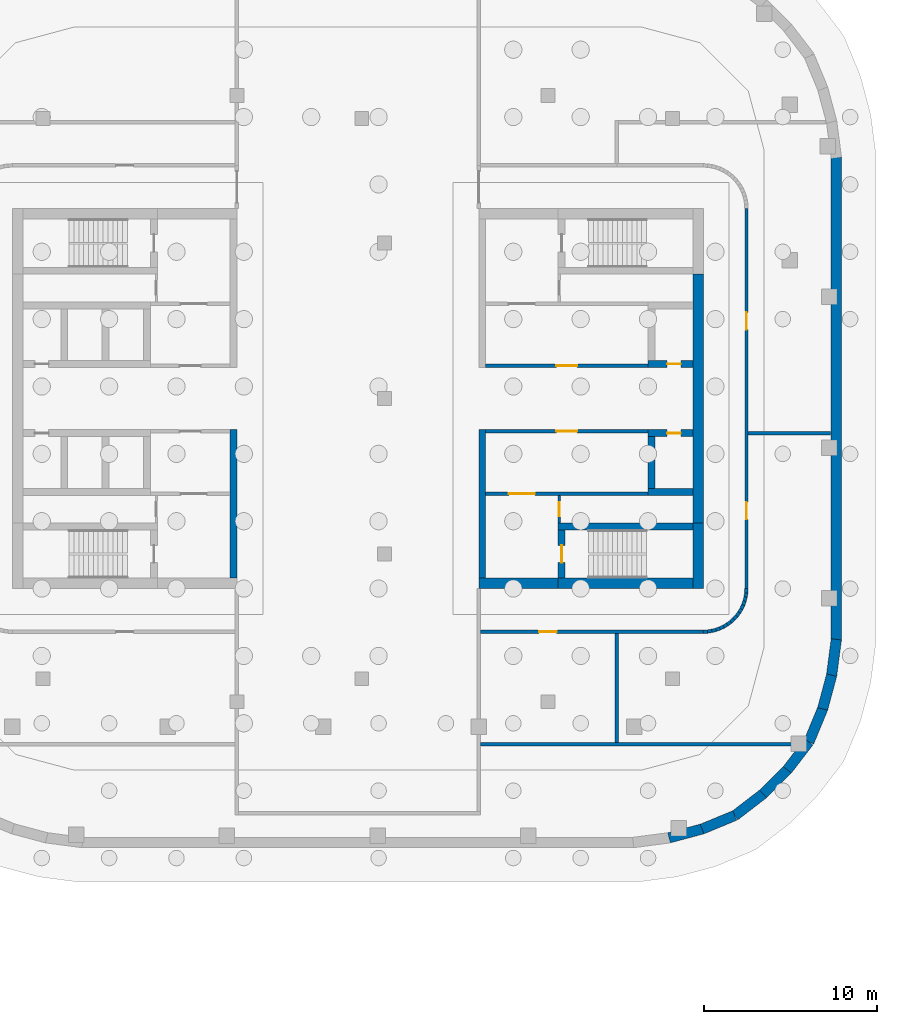
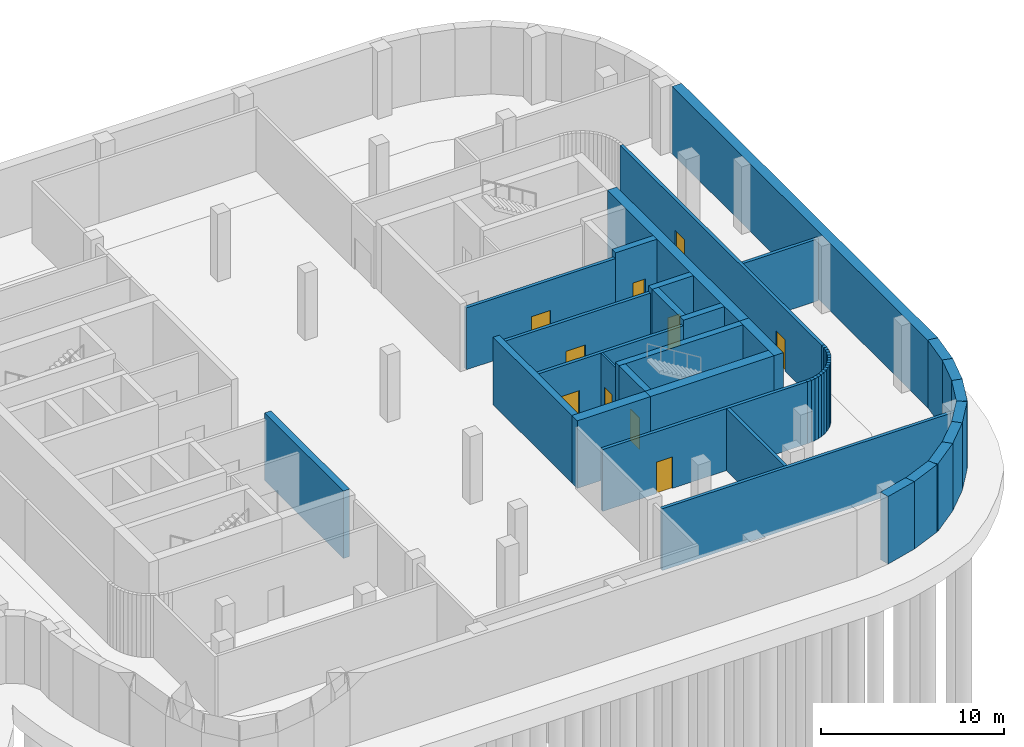
# One storey, part 13 of 18: 46 walls, 10 doors, 10 openings.
"""IFC4 building model written with IfcOpenShell, lengths in metres."""

from ifc_helpers import new_model, si_unit, direction, frame, frame_2d, origin, place, context, subcontext, project, spatial, rectangle, extrude, material, layer, layer_set, type_object, element, fill, save


model = new_model("IFC4")

# Units and contexts
model_context = context("Model", 3, precision=1e-05, world=origin(), true_north=direction((0.0, 1.0)))
body_context = subcontext(model_context, "Body", "Model", "MODEL_VIEW")
ifc_project = project(units=[si_unit("LENGTHUNIT", "METRE"), si_unit("AREAUNIT", "SQUARE_METRE"), si_unit("VOLUMEUNIT", "CUBIC_METRE"), si_unit("PLANEANGLEUNIT", "RADIAN"), si_unit("MASSUNIT", "GRAM", prefix="KILO")], contexts=[model_context])

# Site, building, storey
site_placement = place(None, origin())
site = spatial("IfcSite", under=ifc_project, at=site_placement, CompositionType="ELEMENT")
building_placement = place(site_placement, origin())
building = spatial("IfcBuilding", under=site, at=building_placement, Name="Skarvind Civic Tower", CompositionType="ELEMENT")
storey_placement = place(building_placement, frame((0.0, 0.0, -9.0)))
storey = spatial("IfcBuildingStorey", under=building, at=storey_placement, Name="B2", CompositionType="ELEMENT", Elevation=-9.0)

# Walls
ifc_material_1 = material(Name="Concrete C40", Category="concrete")
ifc_layer_1 = layer(ifc_material_1, 0.60009765625)
ifc_layer_set_1 = layer_set([ifc_layer_1], Name="Basement retaining wall 600 C40")
wall_type_1 = type_object("IfcWallType", Name="Basement retaining wall 600 C40", PredefinedType="SHEAR", material=ifc_layer_set_1)
wall_1_placement = place(storey_placement, frame((174.699951171875, 141.978271484375, 0.0), z_axis=(0.0, 0.0, 1.0), x_axis=(0.0, -1.0, 0.0)))
element("IfcWall", 1, at=wall_1_placement, inside=storey, type_object=wall_type_1, Name="Basement retaining wall B2 53", PredefinedType="SHEAR", context=body_context, shape_type="SweptSolid", body=[
    extrude(rectangle(XDim=27.95654296875, YDim=0.60009765625, at=frame_2d((13.978271484375, 0.0))), origin(), (0.0, 0.0, 1.0), 4.5),
])
wall_2_placement = place(storey_placement, frame((174.70263671875, 114.06103515625, 0.0), z_axis=(0.0, 0.0, 1.0), x_axis=(-0.130558200013, -0.991440646942, 0.0)))
element("IfcWall", 2, at=wall_2_placement, inside=storey, type_object=wall_type_1, Name="Basement retaining wall B2 54", PredefinedType="SHEAR", context=body_context, shape_type="SweptSolid", body=[
    extrude(rectangle(XDim=2.1318359375, YDim=0.60009765625, at=frame_2d((1.06591796875, 0.0))), origin(), (0.0, 0.0, 1.0), 4.5),
])
wall_3_placement = place(storey_placement, frame((174.431884765625, 111.986083984375, 0.0), z_axis=(0.0, 0.0, 1.0), x_axis=(-0.258804467146, -0.965929732323, 0.0)))
element("IfcWall", 3, at=wall_3_placement, inside=storey, type_object=wall_type_1, Name="Basement retaining wall B2 55", PredefinedType="SHEAR", context=body_context, shape_type="SweptSolid", body=[
    extrude(rectangle(XDim=2.0224609375, YDim=0.60009765625, at=frame_2d((1.01123046875, 0.0))), origin(), (0.0, 0.0, 1.0), 4.5),
])
wall_4_placement = place(storey_placement, frame((173.921142578125, 110.0693359375, 0.0), z_axis=(0.0, 0.0, 1.0), x_axis=(-0.382375593358, -0.924006983526, 0.0)))
element("IfcWall", 4, at=wall_4_placement, inside=storey, type_object=wall_type_1, Name="Basement retaining wall B2 56", PredefinedType="SHEAR", context=body_context, shape_type="SweptSolid", body=[
    extrude(rectangle(XDim=2.114013671875, YDim=0.60009765625, at=frame_2d((1.05712890625, 0.0))), origin(), (0.0, 0.0, 1.0), 4.5),
])
wall_5_placement = place(storey_placement, frame((173.109375, 108.12841796875, 0.0), z_axis=(0.0, 0.0, 1.0), x_axis=(-0.609058260448, -0.793125485267, 0.0)))
element("IfcWall", 5, at=wall_5_placement, inside=storey, type_object=wall_type_1, Name="Basement retaining wall B2 57", PredefinedType="SHEAR", context=body_context, shape_type="SweptSolid", body=[
    extrude(rectangle(XDim=2.0439453125, YDim=0.60009765625, at=frame_2d((1.02197265625, 0.0))), origin(), (0.0, 0.0, 1.0), 4.5),
])
wall_6_placement = place(storey_placement, frame((171.890380859375, 106.536865234375, 0.0), z_axis=(0.0, 0.0, 1.0), x_axis=(-0.707106781187, -0.707106781187, 0.0)))
element("IfcWall", 6, at=wall_6_placement, inside=storey, type_object=wall_type_1, Name="Basement retaining wall B2 58", PredefinedType="SHEAR", context=body_context, shape_type="SweptSolid", body=[
    extrude(rectangle(XDim=2.018310546875, YDim=0.60009765625, at=frame_2d((1.00927734375, 0.0))), origin(), (0.0, 0.0, 1.0), 4.5),
])
wall_7_placement = place(storey_placement, frame((170.49267578125, 105.135498046875, 0.0), z_axis=(0.0, 0.0, 1.0), x_axis=(-0.79313029079, -0.609052002567, 0.0)))
element("IfcWall", 7, at=wall_7_placement, inside=storey, type_object=wall_type_1, Name="Basement retaining wall B2 59", PredefinedType="SHEAR", context=body_context, shape_type="SweptSolid", body=[
    extrude(rectangle(XDim=2.114013671875, YDim=0.60009765625, at=frame_2d((1.05712890625, 0.0))), origin(), (0.0, 0.0, 1.0), 4.5),
])
wall_8_placement = place(storey_placement, frame((168.8193359375, 103.8603515625, 0.0), z_axis=(0.0, 0.0, 1.0), x_axis=(-0.924021197839, -0.382341242798, 0.0)))
element("IfcWall", 8, at=wall_8_placement, inside=storey, type_object=wall_type_1, Name="Basement retaining wall B2 60", PredefinedType="SHEAR", context=body_context, shape_type="SweptSolid", body=[
    extrude(rectangle(XDim=2.0439453125, YDim=0.60009765625, at=frame_2d((1.02197265625, 0.0))), origin(), (0.0, 0.0, 1.0), 4.5),
])
wall_9_placement = place(storey_placement, frame((166.967529296875, 103.091552734375, 0.0), z_axis=(0.0, 0.0, 1.0), x_axis=(-0.965929732323, -0.258804467146, 0.0)))
element("IfcWall", 9, at=wall_9_placement, inside=storey, type_object=wall_type_1, Name="Basement retaining wall B2 61", PredefinedType="SHEAR", context=body_context, shape_type="SweptSolid", body=[
    extrude(rectangle(XDim=2.0224609375, YDim=0.60009765625, at=frame_2d((1.01123046875, 0.0))), origin(), (0.0, 0.0, 1.0), 4.5),
])

# Wall, opening, door
ifc_material_2 = material(Name="Fire-rated masonry partition", Category="masonry")
ifc_layer_2 = layer(ifc_material_2, 0.199951171875)
ifc_layer_set_2 = layer_set([ifc_layer_2], Name="Core enclosure wall 200")
wall_type_2 = type_object("IfcWallType", Name="Core enclosure wall 200", PredefinedType="PARTITIONING", material=ifc_layer_set_2)
wall_10_placement = place(storey_placement, frame((163.800048828125, 126.10009765625, 0.0), z_axis=(0.0, 0.0, 1.0), x_axis=(-1.0, 0.0, 0.0)))
wall_10 = element("IfcWall", 10, at=wall_10_placement, inside=storey, type_object=wall_type_2, Name="Core wall CB", PredefinedType="PARTITIONING", context=body_context, shape_type="SweptSolid", body=[
    extrude(rectangle(XDim=9.400146484375, YDim=0.199951171875, at=frame_2d((4.7001953125, 0.0))), origin(), (0.0, 0.0, 1.0), 4.125),
])
opening_1_placement = place(wall_10_placement, frame((4.10009765625, 0.0, 0.0)))
opening_1 = element("IfcOpeningElement", 11, at=opening_1_placement, cuts=wall_10, Name="Opening D-B2-CB-03", PredefinedType="OPENING", context=body_context, shape_type="SweptSolid", body=[
    extrude(rectangle(XDim=1.199951171875, YDim=2.10009765625, at=frame_2d((0.60009765625, 1.050048828125))), frame((0.0, 0.10986328125, 0.0), z_axis=(0.0, -1.0, 0.0), x_axis=(1.0, 0.0, 0.0)), (0.0, 0.0, 1.0), 0.219970703125),
])
ifc_material_3 = material(Name="Fire-rated steel door", Category="steel")
door_type_1 = type_object("IfcDoorType", Name="Core lobby door 1200", OperationType="NOTDEFINED", PredefinedType="DOOR", material=ifc_material_3)
door_1_placement = place(opening_1_placement, origin())
door_1 = element("IfcDoor", 12, at=door_1_placement, inside=storey, type_object=door_type_1, Name="Fire door", OperationType="DOUBLE_DOOR_SINGLE_SWING", OverallHeight=2.10009765625, OverallWidth=1.199951171875, PredefinedType="DOOR", context=body_context, shape_type="SweptSolid", body=[
    extrude(rectangle(XDim=1.199951171875, YDim=2.10009765625, at=frame_2d((0.60009765625, 1.050048828125))), frame((0.0, 0.02490234375, 0.0), z_axis=(0.0, -1.0, 0.0), x_axis=(1.0, 0.0, 0.0)), (0.0, 0.0, 1.0), 0.050048828125),
])
fill(opening_1, door_1)

wall_11_placement = place(storey_placement, frame((163.800048828125, 122.5, 0.0), z_axis=(0.0, 0.0, 1.0), x_axis=(-1.0, 0.0, 0.0)))
wall_11 = element("IfcWall", 13, at=wall_11_placement, inside=storey, type_object=wall_type_2, Name="Core wall CB", PredefinedType="PARTITIONING", context=body_context, shape_type="SweptSolid", body=[
    extrude(rectangle(XDim=9.400146484375, YDim=0.199951171875, at=frame_2d((4.7001953125, 0.0))), origin(), (0.0, 0.0, 1.0), 4.125),
])
opening_2_placement = place(wall_11_placement, frame((6.550048828125, 0.0, 0.0)))
opening_2 = element("IfcOpeningElement", 14, at=opening_2_placement, cuts=wall_11, Name="Opening D-B2-CB-04", PredefinedType="OPENING", context=body_context, shape_type="SweptSolid", body=[
    extrude(rectangle(XDim=1.5, YDim=2.10009765625, at=frame_2d((0.75, 1.050048828125))), frame((0.0, 0.10986328125, 0.0), z_axis=(0.0, -1.0, 0.0), x_axis=(1.0, 0.0, 0.0)), (0.0, 0.0, 1.0), 0.219970703125),
])
door_type_2 = type_object("IfcDoorType", Name="Fire door 1500", OperationType="NOTDEFINED", PredefinedType="DOOR", material=ifc_material_3)
door_2_placement = place(opening_2_placement, origin())
door_2 = element("IfcDoor", 15, at=door_2_placement, inside=storey, type_object=door_type_2, Name="Fire door", OperationType="DOUBLE_DOOR_SINGLE_SWING", OverallHeight=2.10009765625, OverallWidth=1.5, PredefinedType="DOOR", context=body_context, shape_type="SweptSolid", body=[
    extrude(rectangle(XDim=1.5, YDim=2.10009765625, at=frame_2d((0.75, 1.050048828125))), frame((0.0, 0.02490234375, 0.0), z_axis=(0.0, -1.0, 0.0), x_axis=(1.0, 0.0, 0.0)), (0.0, 0.0, 1.0), 0.050048828125),
])
fill(opening_2, door_2)

wall_12_placement = place(storey_placement, frame((154.39990234375, 129.89990234375, 0.0), z_axis=(0.0, 0.0, 1.0), x_axis=(1.0, 0.0, 0.0)))
wall_12 = element("IfcWall", 16, at=wall_12_placement, inside=storey, type_object=wall_type_2, Name="Core wall CB", PredefinedType="PARTITIONING", context=body_context, shape_type="SweptSolid", body=[
    extrude(rectangle(XDim=9.400146484375, YDim=0.199951171875, at=frame_2d((4.7001953125, 0.0))), origin(), (0.0, 0.0, 1.0), 4.125),
])
opening_3_placement = place(wall_12_placement, frame((4.10009765625, 0.0, 0.0)))
opening_3 = element("IfcOpeningElement", 17, at=opening_3_placement, cuts=wall_12, Name="Opening D-B2-CB-07", PredefinedType="OPENING", context=body_context, shape_type="SweptSolid", body=[
    extrude(rectangle(XDim=1.199951171875, YDim=2.10009765625, at=frame_2d((0.60009765625, 1.050048828125))), frame((0.0, 0.10986328125, 0.0), z_axis=(0.0, -1.0, 0.0), x_axis=(1.0, 0.0, 0.0)), (0.0, 0.0, 1.0), 0.219970703125),
])
door_3_placement = place(opening_3_placement, origin())
door_3 = element("IfcDoor", 18, at=door_3_placement, inside=storey, type_object=door_type_1, Name="Fire door", OperationType="DOUBLE_DOOR_SINGLE_SWING", OverallHeight=2.10009765625, OverallWidth=1.199951171875, PredefinedType="DOOR", context=body_context, shape_type="SweptSolid", body=[
    extrude(rectangle(XDim=1.199951171875, YDim=2.10009765625, at=frame_2d((0.60009765625, 1.050048828125))), frame((0.0, 0.02490234375, 0.0), z_axis=(0.0, -1.0, 0.0), x_axis=(1.0, 0.0, 0.0)), (0.0, 0.0, 1.0), 0.050048828125),
])
fill(opening_3, door_3)

# Walls
ifc_material_4 = material(Name="Concrete C80", Category="concrete")
ifc_layer_3 = layer(ifc_material_4, 0.39990234375)
ifc_layer_set_3 = layer_set([ifc_layer_3], Name="Core wall 400 C80")
wall_type_3 = type_object("IfcWallType", Name="Core wall 400 C80", PredefinedType="SHEAR", material=ifc_layer_set_3)
wall_13_placement = place(storey_placement, frame((139.800048828125, 117.60009765625, 0.0), z_axis=(0.0, 0.0, 1.0), x_axis=(0.0, 1.0, 0.0)))
element("IfcWall", 19, at=wall_13_placement, inside=storey, type_object=wall_type_3, Name="Core wall CA south inner face B2", PredefinedType="SHEAR", context=body_context, shape_type="SweptSolid", body=[
    extrude(rectangle(XDim=8.599853515625, YDim=0.39990234375, at=frame_2d((4.2998046875, 0.0))), origin(), (0.0, 0.0, 1.0), 4.5),
])
wall_14_placement = place(storey_placement, frame((166.39990234375, 120.60009765625, 0.0), z_axis=(0.0, 0.0, 1.0), x_axis=(-1.0, 0.0, 0.0)))
element("IfcWall", 20, at=wall_14_placement, inside=storey, type_object=wall_type_3, Name="Core wall CB north stair inner B2", PredefinedType="SHEAR", context=body_context, shape_type="SweptSolid", body=[
    extrude(rectangle(XDim=7.7998046875, YDim=0.39990234375, at=frame_2d((3.89990234375, 0.0))), origin(), (0.0, 0.0, 1.0), 4.5),
])

# Wall, opening, door
wall_15_placement = place(storey_placement, frame((158.800048828125, 120.39990234375, 0.0), z_axis=(0.0, 0.0, 1.0), x_axis=(0.0, -1.0, 0.0)))
wall_15 = element("IfcWall", 21, at=wall_15_placement, inside=storey, type_object=wall_type_3, Name="Core wall CB north stair end B2", PredefinedType="SHEAR", context=body_context, shape_type="SweptSolid", body=[
    extrude(rectangle(XDim=2.7998046875, YDim=0.39990234375, at=frame_2d((1.39990234375, 0.0))), origin(), (0.0, 0.0, 1.0), 4.5),
])
opening_4_placement = place(wall_15_placement, frame((0.89990234375, 0.0, 0.0)))
opening_4 = element("IfcOpeningElement", 22, at=opening_4_placement, cuts=wall_15, Name="Opening D-B2-CB-05", PredefinedType="OPENING", context=body_context, shape_type="SweptSolid", body=[
    extrude(rectangle(XDim=1.0, YDim=2.10009765625, at=frame_2d((0.5, 1.050048828125))), frame((0.0, 0.2099609375, 0.0), z_axis=(0.0, -1.0, 0.0), x_axis=(1.0, 0.0, 0.0)), (0.0, 0.0, 1.0), 0.419921875),
])
door_type_3 = type_object("IfcDoorType", Name="Fire door 1000", OperationType="NOTDEFINED", PredefinedType="DOOR", material=ifc_material_3)
door_4_placement = place(opening_4_placement, origin())
door_4 = element("IfcDoor", 23, at=door_4_placement, inside=storey, type_object=door_type_3, Name="Fire door", OperationType="SINGLE_SWING_LEFT", OverallHeight=2.10009765625, OverallWidth=1.0, PredefinedType="DOOR", context=body_context, shape_type="SweptSolid", body=[
    extrude(rectangle(XDim=1.0, YDim=2.10009765625, at=frame_2d((0.5, 1.050048828125))), frame((0.0, 0.02490234375, 0.0), z_axis=(0.0, -1.0, 0.0), x_axis=(1.0, 0.0, 0.0)), (0.0, 0.0, 1.0), 0.050048828125),
])
fill(opening_4, door_4)

wall_16_placement = place(storey_placement, frame((166.39990234375, 130.0, 0.0), z_axis=(0.0, 0.0, 1.0), x_axis=(-1.0, 0.0, 0.0)))
wall_16 = element("IfcWall", 24, at=wall_16_placement, inside=storey, type_object=wall_type_3, Name="Core wall CB south lift row front B2", PredefinedType="SHEAR", context=body_context, shape_type="SweptSolid", body=[
    extrude(rectangle(XDim=2.599853515625, YDim=0.39990234375, at=frame_2d((1.2998046875, 0.0))), origin(), (0.0, 0.0, 1.0), 4.5),
])
opening_5_placement = place(wall_16_placement, frame((0.699951171875, 0.0, 0.0)))
opening_5 = element("IfcOpeningElement", 25, at=opening_5_placement, cuts=wall_16, Name="Opening D-B2-CB-02", PredefinedType="OPENING", context=body_context, shape_type="SweptSolid", body=[
    extrude(rectangle(XDim=0.800048828125, YDim=2.10009765625, at=frame_2d((0.39990234375, 1.050048828125))), frame((0.0, 0.2099609375, 0.0), z_axis=(0.0, -1.0, 0.0), x_axis=(1.0, 0.0, 0.0)), (0.0, 0.0, 1.0), 0.419921875),
])
door_type_4 = type_object("IfcDoorType", Name="Core riser door 800", OperationType="NOTDEFINED", PredefinedType="DOOR", material=ifc_material_3)
door_5_placement = place(opening_5_placement, origin())
door_5 = element("IfcDoor", 26, at=door_5_placement, inside=storey, type_object=door_type_4, Name="Riser door", OperationType="SINGLE_SWING_RIGHT", OverallHeight=2.10009765625, OverallWidth=0.800048828125, PredefinedType="DOOR", context=body_context, shape_type="SweptSolid", body=[
    extrude(rectangle(XDim=0.800048828125, YDim=2.10009765625, at=frame_2d((0.39990234375, 1.050048828125))), frame((0.0, 0.02490234375, 0.0), z_axis=(0.0, -1.0, 0.0), x_axis=(1.0, 0.0, 0.0)), (0.0, 0.0, 1.0), 0.050048828125),
])
fill(opening_5, door_5)

wall_17_placement = place(storey_placement, frame((166.39990234375, 126.0, 0.0), z_axis=(0.0, 0.0, 1.0), x_axis=(-1.0, 0.0, 0.0)))
wall_17 = element("IfcWall", 27, at=wall_17_placement, inside=storey, type_object=wall_type_3, Name="Core wall CB north lift row front B2", PredefinedType="SHEAR", context=body_context, shape_type="SweptSolid", body=[
    extrude(rectangle(XDim=2.599853515625, YDim=0.39990234375, at=frame_2d((1.2998046875, 0.0))), origin(), (0.0, 0.0, 1.0), 4.5),
])
opening_6_placement = place(wall_17_placement, frame((0.699951171875, 0.0, 0.0)))
opening_6 = element("IfcOpeningElement", 28, at=opening_6_placement, cuts=wall_17, Name="Opening D-B2-CB-01", PredefinedType="OPENING", context=body_context, shape_type="SweptSolid", body=[
    extrude(rectangle(XDim=0.800048828125, YDim=2.10009765625, at=frame_2d((0.39990234375, 1.050048828125))), frame((0.0, 0.2099609375, 0.0), z_axis=(0.0, -1.0, 0.0), x_axis=(1.0, 0.0, 0.0)), (0.0, 0.0, 1.0), 0.419921875),
])
door_6_placement = place(opening_6_placement, origin())
door_6 = element("IfcDoor", 29, at=door_6_placement, inside=storey, type_object=door_type_4, Name="Riser door", OperationType="SINGLE_SWING_LEFT", OverallHeight=2.10009765625, OverallWidth=0.800048828125, PredefinedType="DOOR", context=body_context, shape_type="SweptSolid", body=[
    extrude(rectangle(XDim=0.800048828125, YDim=2.10009765625, at=frame_2d((0.39990234375, 1.050048828125))), frame((0.0, 0.02490234375, 0.0), z_axis=(0.0, -1.0, 0.0), x_axis=(1.0, 0.0, 0.0)), (0.0, 0.0, 1.0), 0.050048828125),
])
fill(opening_6, door_6)

# Walls
wall_18_placement = place(storey_placement, frame((166.39990234375, 122.60009765625, 0.0), z_axis=(0.0, 0.0, 1.0), x_axis=(-1.0, 0.0, 0.0)))
element("IfcWall", 30, at=wall_18_placement, inside=storey, type_object=wall_type_3, Name="Core wall CB north lift row back B2", PredefinedType="SHEAR", context=body_context, shape_type="SweptSolid", body=[
    extrude(rectangle(XDim=2.599853515625, YDim=0.39990234375, at=frame_2d((1.2998046875, 0.0))), origin(), (0.0, 0.0, 1.0), 4.5),
])
wall_19_placement = place(storey_placement, frame((164.0, 125.800048828125, 0.0), z_axis=(0.0, 0.0, 1.0), x_axis=(0.0, -1.0, 0.0)))
element("IfcWall", 31, at=wall_19_placement, inside=storey, type_object=wall_type_3, Name="Core wall CB north lift row division 1 B2", PredefinedType="SHEAR", context=body_context, shape_type="SweptSolid", body=[
    extrude(rectangle(XDim=3.0, YDim=0.39990234375, at=frame_2d((1.5, 0.0))), origin(), (0.0, 0.0, 1.0), 4.5),
])
wall_20_placement = place(storey_placement, frame((154.199951171875, 126.199951171875, 0.0), z_axis=(0.0, 0.0, 1.0), x_axis=(0.0, -1.0, 0.0)))
element("IfcWall", 32, at=wall_20_placement, inside=storey, type_object=wall_type_3, Name="Core wall CB north inner face B2", PredefinedType="SHEAR", context=body_context, shape_type="SweptSolid", body=[
    extrude(rectangle(XDim=8.599853515625, YDim=0.39990234375, at=frame_2d((4.2998046875, 0.0))), origin(), (0.0, 0.0, 1.0), 4.5),
])
ifc_layer_4 = layer(ifc_material_4, 0.60009765625)
ifc_layer_set_4 = layer_set([ifc_layer_4], Name="Core wall 600 C80")
wall_type_4 = type_object("IfcWallType", Name="Core wall 600 C80", PredefinedType="SHEAR", material=ifc_layer_set_4)
wall_21_placement = place(storey_placement, frame((166.699951171875, 135.199951171875, 0.0), z_axis=(0.0, 0.0, 1.0), x_axis=(0.0, -1.0, 0.0)))
element("IfcWall", 33, at=wall_21_placement, inside=storey, type_object=wall_type_4, Name="Core wall CB tip between the stairs B2", PredefinedType="SHEAR", context=body_context, shape_type="SweptSolid", body=[
    extrude(rectangle(XDim=14.39990234375, YDim=0.60009765625, at=frame_2d((7.199951171875, 0.0))), origin(), (0.0, 0.0, 1.0), 4.5),
])
wall_22_placement = place(storey_placement, frame((166.699951171875, 120.800048828125, 0.0), z_axis=(0.0, 0.0, 1.0), x_axis=(0.0, -1.0, 0.0)))
element("IfcWall", 34, at=wall_22_placement, inside=storey, type_object=wall_type_4, Name="Core wall CB tip at the north stair B2", PredefinedType="SHEAR", context=body_context, shape_type="SweptSolid", body=[
    extrude(rectangle(XDim=3.800048828125, YDim=0.60009765625, at=frame_2d((1.89990234375, 0.0))), origin(), (0.0, 0.0, 1.0), 4.5),
])
wall_23_placement = place(storey_placement, frame((166.39990234375, 117.300048828125, 0.0), z_axis=(0.0, 0.0, 1.0), x_axis=(-1.0, 0.0, 0.0)))
element("IfcWall", 35, at=wall_23_placement, inside=storey, type_object=wall_type_4, Name="Core wall CB north side at the stair B2", PredefinedType="SHEAR", context=body_context, shape_type="SweptSolid", body=[
    extrude(rectangle(XDim=7.7998046875, YDim=0.60009765625, at=frame_2d((3.89990234375, 0.0))), origin(), (0.0, 0.0, 1.0), 4.5),
])
wall_24_placement = place(storey_placement, frame((158.60009765625, 117.300048828125, 0.0), z_axis=(0.0, 0.0, 1.0), x_axis=(-1.0, 0.0, 0.0)))
element("IfcWall", 36, at=wall_24_placement, inside=storey, type_object=wall_type_4, Name="Core wall CB north side B2", PredefinedType="SHEAR", context=body_context, shape_type="SweptSolid", body=[
    extrude(rectangle(XDim=4.60009765625, YDim=0.60009765625, at=frame_2d((2.300048828125, 0.0))), origin(), (0.0, 0.0, 1.0), 4.5),
])
ifc_material_5 = material(Name="Fire-rated blockwork wall, plastered", Category="masonry")
ifc_layer_5 = layer(ifc_material_5, 0.199951171875)
ifc_layer_set_5 = layer_set([ifc_layer_5], Name="FIRE WALL 200 EI 60")
wall_type_5 = type_object("IfcWallType", Name="FIRE WALL 200 EI 60", PredefinedType="PARTITIONING", material=ifc_layer_set_5)
wall_25_placement = place(storey_placement, frame((154.10009765625, 108.0, 0.0), z_axis=(0.0, 0.0, 1.0), x_axis=(1.0, 0.0, 0.0)))
element("IfcWall", 37, at=wall_25_placement, inside=storey, type_object=wall_type_5, Name="Basement partition B2 087", PredefinedType="PARTITIONING", context=body_context, shape_type="SweptSolid", body=[
    extrude(rectangle(XDim=18.468994140625, YDim=0.199951171875, at=frame_2d((9.234375, 0.0))), origin(), (0.0, 0.0, 1.0), 4.125),
])

# Wall, opening, door
wall_26_placement = place(storey_placement, frame((167.001953125, 114.5, 0.0), z_axis=(0.0, 0.0, 1.0), x_axis=(-1.0, 0.0, 0.0)))
wall_26 = element("IfcWall", 38, at=wall_26_placement, inside=storey, type_object=wall_type_5, Name="Basement partition B2 088", PredefinedType="PARTITIONING", context=body_context, shape_type="SweptSolid", body=[
    extrude(rectangle(XDim=12.90185546875, YDim=0.199951171875, at=frame_2d((6.450927734375, 0.0))), origin(), (0.0, 0.0, 1.0), 4.125),
])
opening_7_placement = place(wall_26_placement, frame((8.5, 0.0, 0.0)))
opening_7 = element("IfcOpeningElement", 39, at=opening_7_placement, cuts=wall_26, Name="Opening B2-D217", PredefinedType="OPENING", context=body_context, shape_type="SweptSolid", body=[
    extrude(rectangle(XDim=1.0, YDim=2.10009765625, at=frame_2d((0.5, 1.050048828125))), frame((0.0, 0.10986328125, 0.0), z_axis=(0.0, -1.0, 0.0), x_axis=(1.0, 0.0, 0.0)), (0.0, 0.0, 1.0), 0.219970703125),
])
ifc_material_6 = material(Name="Painted steel fire door leaf", Category="steel")
door_type_5 = type_object("IfcDoorType", Name="FIRE DOOR 1000X2100 STEEL", OperationType="NOTDEFINED", PredefinedType="DOOR", material=ifc_material_6)
door_7_placement = place(opening_7_placement, origin())
door_7 = element("IfcDoor", 40, at=door_7_placement, inside=storey, type_object=door_type_5, Name="FIRE DOOR", OperationType="SINGLE_SWING_LEFT", OverallHeight=2.10009765625, OverallWidth=1.0, PredefinedType="DOOR", context=body_context, shape_type="SweptSolid", body=[
    extrude(rectangle(XDim=1.0, YDim=2.10009765625, at=frame_2d((0.5, 1.050048828125))), frame((0.0, 0.02490234375, 0.0), z_axis=(0.0, -1.0, 0.0), x_axis=(1.0, 0.0, 0.0)), (0.0, 0.0, 1.0), 0.050048828125),
])
fill(opening_7, door_7)

# Walls
wall_27_placement = place(storey_placement, frame((162.0, 108.10009765625, 0.0), z_axis=(0.0, 0.0, 1.0), x_axis=(0.0, 1.0, 0.0)))
element("IfcWall", 41, at=wall_27_placement, inside=storey, type_object=wall_type_5, Name="Basement partition B2 092", PredefinedType="PARTITIONING", context=body_context, shape_type="SweptSolid", body=[
    extrude(rectangle(XDim=6.2998046875, YDim=0.199951171875, at=frame_2d((3.14990234375, 0.0))), origin(), (0.0, 0.0, 1.0), 4.125),
])
wall_28_placement = place(storey_placement, frame((166.998046875, 114.5, 0.0), z_axis=(0.0, 0.0, 1.0), x_axis=(0.998874697667, 0.047427190102, 0.0)))
element("IfcWall", 42, at=wall_28_placement, inside=storey, type_object=wall_type_5, Name="Basement partition B2 096", PredefinedType="PARTITIONING", context=body_context, shape_type="SweptSolid", body=[
    extrude(rectangle(XDim=0.252197265625, YDim=0.199951171875, at=frame_2d((0.1259765625, 0.0))), origin(), (0.0, 0.0, 1.0), 4.125),
])
wall_29_placement = place(storey_placement, frame((167.239990234375, 114.510986328125, 0.0), z_axis=(0.0, 0.0, 1.0), x_axis=(0.988852180426, 0.148900521377, 0.0)))
element("IfcWall", 43, at=wall_29_placement, inside=storey, type_object=wall_type_5, Name="Basement partition B2 098", PredefinedType="PARTITIONING", context=body_context, shape_type="SweptSolid", body=[
    extrude(rectangle(XDim=0.255859375, YDim=0.199951171875, at=frame_2d((0.1279296875, 0.0))), origin(), (0.0, 0.0, 1.0), 4.125),
])
wall_30_placement = place(storey_placement, frame((167.48291015625, 114.547119140625, 0.0), z_axis=(0.0, 0.0, 1.0), x_axis=(0.970366809683, 0.241636616978, 0.0)))
element("IfcWall", 44, at=wall_30_placement, inside=storey, type_object=wall_type_5, Name="Basement partition B2 100", PredefinedType="PARTITIONING", context=body_context, shape_type="SweptSolid", body=[
    extrude(rectangle(XDim=0.255615234375, YDim=0.199951171875, at=frame_2d((0.1279296875, 0.0))), origin(), (0.0, 0.0, 1.0), 4.125),
])
wall_31_placement = place(storey_placement, frame((167.721923828125, 114.60595703125, 0.0), z_axis=(0.0, 0.0, 1.0), x_axis=(0.941459892631, 0.337125007331, 0.0)))
element("IfcWall", 45, at=wall_31_placement, inside=storey, type_object=wall_type_5, Name="Basement partition B2 102", PredefinedType="PARTITIONING", context=body_context, shape_type="SweptSolid", body=[
    extrude(rectangle(XDim=0.2548828125, YDim=0.199951171875, at=frame_2d((0.12744140625, 0.0))), origin(), (0.0, 0.0, 1.0), 4.125),
])
wall_32_placement = place(storey_placement, frame((167.951904296875, 114.68798828125, 0.0), z_axis=(0.0, 0.0, 1.0), x_axis=(0.903444698448, 0.4287046499, 0.0)))
element("IfcWall", 46, at=wall_32_placement, inside=storey, type_object=wall_type_5, Name="Basement partition B2 104", PredefinedType="PARTITIONING", context=body_context, shape_type="SweptSolid", body=[
    extrude(rectangle(XDim=0.254638671875, YDim=0.199951171875, at=frame_2d((0.12744140625, 0.0))), origin(), (0.0, 0.0, 1.0), 4.125),
])
wall_33_placement = place(storey_placement, frame((168.174072265625, 114.79296875, 0.0), z_axis=(0.0, 0.0, 1.0), x_axis=(0.857998903579, 0.513651517527, 0.0)))
element("IfcWall", 47, at=wall_33_placement, inside=storey, type_object=wall_type_5, Name="Basement partition B2 106", PredefinedType="PARTITIONING", context=body_context, shape_type="SweptSolid", body=[
    extrude(rectangle(XDim=0.255126953125, YDim=0.199951171875, at=frame_2d((0.12744140625, 0.0))), origin(), (0.0, 0.0, 1.0), 4.125),
])
wall_34_placement = place(storey_placement, frame((168.385009765625, 114.91796875, 0.0), z_axis=(0.0, 0.0, 1.0), x_axis=(0.803201336243, 0.595707657713, 0.0)))
element("IfcWall", 48, at=wall_34_placement, inside=storey, type_object=wall_type_5, Name="Basement partition B2 108", PredefinedType="PARTITIONING", context=body_context, shape_type="SweptSolid", body=[
    extrude(rectangle(XDim=0.25537109375, YDim=0.199951171875, at=frame_2d((0.127685546875, 0.0))), origin(), (0.0, 0.0, 1.0), 4.125),
])
for number, where, z_axis, x_axis, name in (
    (49, (168.58203125, 115.06396484375, 0.0), (0.0, 0.0, 1.0), (0.742914175687, 0.66938668015, 0.0), "Basement partition B2 110"),
    (50, (168.764892578125, 115.22802734375, 0.0), (0.0, 0.0, 1.0), (0.66938668015, 0.742914175687, 0.0), "Basement partition B2 112"),
):
    element("IfcWall", number, at=place(storey_placement, frame(where, z_axis=z_axis, x_axis=x_axis)), inside=storey, type_object=wall_type_5, Name=name, PredefinedType="PARTITIONING", context=body_context, shape_type="SweptSolid", body=[
        extrude(rectangle(XDim=0.255615234375, YDim=0.199951171875, at=frame_2d((0.1279296875, 0.0))), origin(), (0.0, 0.0, 1.0), 4.125),
    ])
wall_35_placement = place(storey_placement, frame((168.929931640625, 115.409912109375, 0.0), z_axis=(0.0, 0.0, 1.0), x_axis=(0.595707657713, 0.803201336243, 0.0)))
element("IfcWall", 51, at=wall_35_placement, inside=storey, type_object=wall_type_5, Name="Basement partition B2 114", PredefinedType="PARTITIONING", context=body_context, shape_type="SweptSolid", body=[
    extrude(rectangle(XDim=0.25537109375, YDim=0.199951171875, at=frame_2d((0.127685546875, 0.0))), origin(), (0.0, 0.0, 1.0), 4.125),
])
wall_36_placement = place(storey_placement, frame((169.075927734375, 115.60693359375, 0.0), z_axis=(0.0, 0.0, 1.0), x_axis=(0.513651517527, 0.857998903579, 0.0)))
element("IfcWall", 52, at=wall_36_placement, inside=storey, type_object=wall_type_5, Name="Basement partition B2 116", PredefinedType="PARTITIONING", context=body_context, shape_type="SweptSolid", body=[
    extrude(rectangle(XDim=0.255126953125, YDim=0.199951171875, at=frame_2d((0.12744140625, 0.0))), origin(), (0.0, 0.0, 1.0), 4.125),
])
wall_37_placement = place(storey_placement, frame((169.202880859375, 115.818115234375, 0.0), z_axis=(0.0, 0.0, 1.0), x_axis=(0.4287046499, 0.903444698448, 0.0)))
element("IfcWall", 53, at=wall_37_placement, inside=storey, type_object=wall_type_5, Name="Basement partition B2 118", PredefinedType="PARTITIONING", context=body_context, shape_type="SweptSolid", body=[
    extrude(rectangle(XDim=0.254638671875, YDim=0.199951171875, at=frame_2d((0.12744140625, 0.0))), origin(), (0.0, 0.0, 1.0), 4.125),
])
wall_38_placement = place(storey_placement, frame((169.30810546875, 116.0380859375, 0.0), z_axis=(0.0, 0.0, 1.0), x_axis=(0.337125007331, 0.941459892631, 0.0)))
element("IfcWall", 54, at=wall_38_placement, inside=storey, type_object=wall_type_5, Name="Basement partition B2 120", PredefinedType="PARTITIONING", context=body_context, shape_type="SweptSolid", body=[
    extrude(rectangle(XDim=0.2548828125, YDim=0.199951171875, at=frame_2d((0.12744140625, 0.0))), origin(), (0.0, 0.0, 1.0), 4.125),
])
wall_39_placement = place(storey_placement, frame((169.39111328125, 116.26904296875, 0.0), z_axis=(0.0, 0.0, 1.0), x_axis=(0.241636616978, 0.970366809683, 0.0)))
element("IfcWall", 55, at=wall_39_placement, inside=storey, type_object=wall_type_5, Name="Basement partition B2 122", PredefinedType="PARTITIONING", context=body_context, shape_type="SweptSolid", body=[
    extrude(rectangle(XDim=0.255615234375, YDim=0.199951171875, at=frame_2d((0.1279296875, 0.0))), origin(), (0.0, 0.0, 1.0), 4.125),
])
wall_40_placement = place(storey_placement, frame((169.450927734375, 116.507080078125, 0.0), z_axis=(0.0, 0.0, 1.0), x_axis=(0.148900521377, 0.988852180426, 0.0)))
element("IfcWall", 56, at=wall_40_placement, inside=storey, type_object=wall_type_5, Name="Basement partition B2 124", PredefinedType="PARTITIONING", context=body_context, shape_type="SweptSolid", body=[
    extrude(rectangle(XDim=0.255859375, YDim=0.199951171875, at=frame_2d((0.1279296875, 0.0))), origin(), (0.0, 0.0, 1.0), 4.125),
])
wall_41_placement = place(storey_placement, frame((169.488037109375, 116.75, 0.0), z_axis=(0.0, 0.0, 1.0), x_axis=(0.047427190102, 0.998874697667, 0.0)))
element("IfcWall", 57, at=wall_41_placement, inside=storey, type_object=wall_type_5, Name="Basement partition B2 126", PredefinedType="PARTITIONING", context=body_context, shape_type="SweptSolid", body=[
    extrude(rectangle(XDim=0.252197265625, YDim=0.199951171875, at=frame_2d((0.1259765625, 0.0))), origin(), (0.0, 0.0, 1.0), 4.125),
])

# Wall, openings, doors
wall_42_placement = place(storey_placement, frame((169.5, 139.001953125, 0.0), z_axis=(0.0, 0.0, 1.0), x_axis=(0.0, -1.0, 0.0)))
wall_42 = element("IfcWall", 58, at=wall_42_placement, inside=storey, type_object=wall_type_5, Name="Basement partition B2 128", PredefinedType="PARTITIONING", context=body_context, shape_type="SweptSolid", body=[
    extrude(rectangle(XDim=22.00390625, YDim=0.199951171875, at=frame_2d((11.001953125, 0.0))), origin(), (0.0, 0.0, 1.0), 4.125),
])
opening_8_placement = place(wall_42_placement, frame((17.0, 0.0, 0.0)))
opening_8 = element("IfcOpeningElement", 59, at=opening_8_placement, cuts=wall_42, Name="Opening B2-D218", PredefinedType="OPENING", context=body_context, shape_type="SweptSolid", body=[
    extrude(rectangle(XDim=1.0, YDim=2.10009765625, at=frame_2d((0.5, 1.050048828125))), frame((0.0, 0.10986328125, 0.0), z_axis=(0.0, -1.0, 0.0), x_axis=(1.0, 0.0, 0.0)), (0.0, 0.0, 1.0), 0.219970703125),
])
opening_9_placement = place(wall_42_placement, frame((6.00390625, 0.0, 0.0)))
opening_9 = element("IfcOpeningElement", 60, at=opening_9_placement, cuts=wall_42, Name="Opening B2-D219", PredefinedType="OPENING", context=body_context, shape_type="SweptSolid", body=[
    extrude(rectangle(XDim=1.0, YDim=2.10009765625, at=frame_2d((0.5, 1.050048828125))), frame((0.0, 0.10986328125, 0.0), z_axis=(0.0, -1.0, 0.0), x_axis=(1.0, 0.0, 0.0)), (0.0, 0.0, 1.0), 0.219970703125),
])
door_8_placement = place(opening_8_placement, origin())
door_8 = element("IfcDoor", 61, at=door_8_placement, inside=storey, type_object=door_type_5, Name="FIRE DOOR", OperationType="SINGLE_SWING_RIGHT", OverallHeight=2.10009765625, OverallWidth=1.0, PredefinedType="DOOR", context=body_context, shape_type="SweptSolid", body=[
    extrude(rectangle(XDim=1.0, YDim=2.10009765625, at=frame_2d((0.5, 1.050048828125))), frame((0.0, 0.02490234375, 0.0), z_axis=(0.0, -1.0, 0.0), x_axis=(1.0, 0.0, 0.0)), (0.0, 0.0, 1.0), 0.050048828125),
])
fill(opening_8, door_8)
door_9_placement = place(opening_9_placement, origin())
door_9 = element("IfcDoor", 62, at=door_9_placement, inside=storey, type_object=door_type_5, Name="FIRE DOOR", OperationType="SINGLE_SWING_LEFT", OverallHeight=2.10009765625, OverallWidth=1.0, PredefinedType="DOOR", context=body_context, shape_type="SweptSolid", body=[
    extrude(rectangle(XDim=1.0, YDim=2.10009765625, at=frame_2d((0.5, 1.050048828125))), frame((0.0, 0.02490234375, 0.0), z_axis=(0.0, -1.0, 0.0), x_axis=(1.0, 0.0, 0.0)), (0.0, 0.0, 1.0), 0.050048828125),
])
fill(opening_9, door_9)

# Wall
wall_43_placement = place(storey_placement, frame((169.60009765625, 126.0, 0.0), z_axis=(0.0, 0.0, 1.0), x_axis=(1.0, 0.0, 0.0)))
element("IfcWall", 63, at=wall_43_placement, inside=storey, type_object=wall_type_5, Name="Basement partition B2 129", PredefinedType="PARTITIONING", context=body_context, shape_type="SweptSolid", body=[
    extrude(rectangle(XDim=4.75, YDim=0.199951171875, at=frame_2d((2.375, 0.0))), origin(), (0.0, 0.0, 1.0), 4.125),
])

# Wall, opening, door
ifc_layer_6 = layer(ifc_material_2, 0.125)
ifc_layer_set_6 = layer_set([ifc_layer_6], Name="Riser wall 125")
wall_type_6 = type_object("IfcWallType", Name="Riser wall 125", PredefinedType="PARTITIONING", material=ifc_layer_set_6)
wall_44_placement = place(storey_placement, frame((158.66259765625, 120.800048828125, 0.0), z_axis=(0.0, 0.0, 1.0), x_axis=(0.0, 1.0, 0.0)))
wall_44 = element("IfcWall", 64, at=wall_44_placement, inside=storey, type_object=wall_type_6, Name="Core wall CB", PredefinedType="PARTITIONING", context=body_context, shape_type="SweptSolid", body=[
    extrude(rectangle(XDim=1.599853515625, YDim=0.125, at=frame_2d((0.7998046875, 0.0))), origin(), (0.0, 0.0, 1.0), 4.125),
])
opening_10_placement = place(wall_44_placement, frame((0.39990234375, 0.0, 0.0)))
opening_10 = element("IfcOpeningElement", 65, at=opening_10_placement, cuts=wall_44, Name="Opening D-B2-CB-06", PredefinedType="OPENING", context=body_context, shape_type="SweptSolid", body=[
    extrude(rectangle(XDim=0.800048828125, YDim=2.10009765625, at=frame_2d((0.39990234375, 1.050048828125))), frame((0.0, 0.072509765625, 0.0), z_axis=(0.0, -1.0, 0.0), x_axis=(1.0, 0.0, 0.0)), (0.0, 0.0, 1.0), 0.14501953125),
])
door_10_placement = place(opening_10_placement, origin())
door_10 = element("IfcDoor", 66, at=door_10_placement, inside=storey, type_object=door_type_4, Name="Riser door", OperationType="SINGLE_SWING_RIGHT", OverallHeight=2.10009765625, OverallWidth=0.800048828125, PredefinedType="DOOR", context=body_context, shape_type="SweptSolid", body=[
    extrude(rectangle(XDim=0.800048828125, YDim=2.10009765625, at=frame_2d((0.39990234375, 1.050048828125))), frame((0.0, 0.02490234375, 0.0), z_axis=(0.0, -1.0, 0.0), x_axis=(1.0, 0.0, 0.0)), (0.0, 0.0, 1.0), 0.050048828125),
])
fill(opening_10, door_10)

save(model, "model.ifc")
